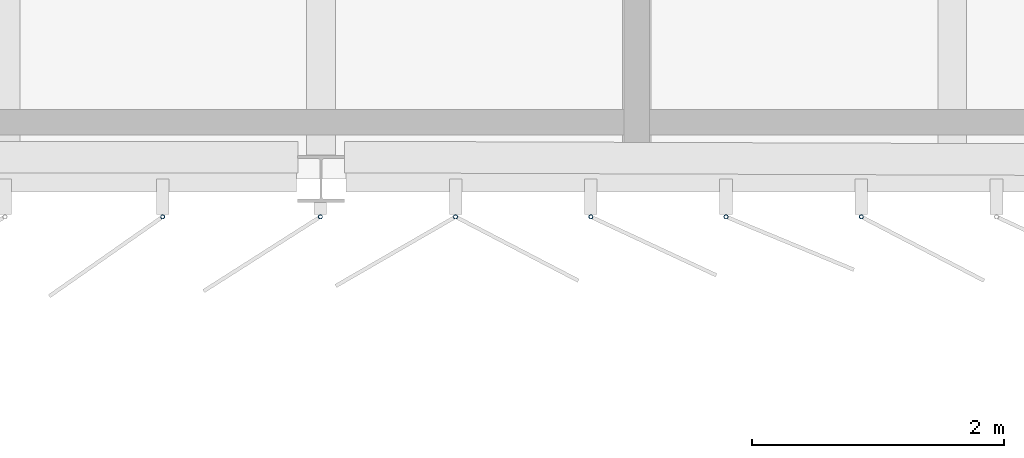
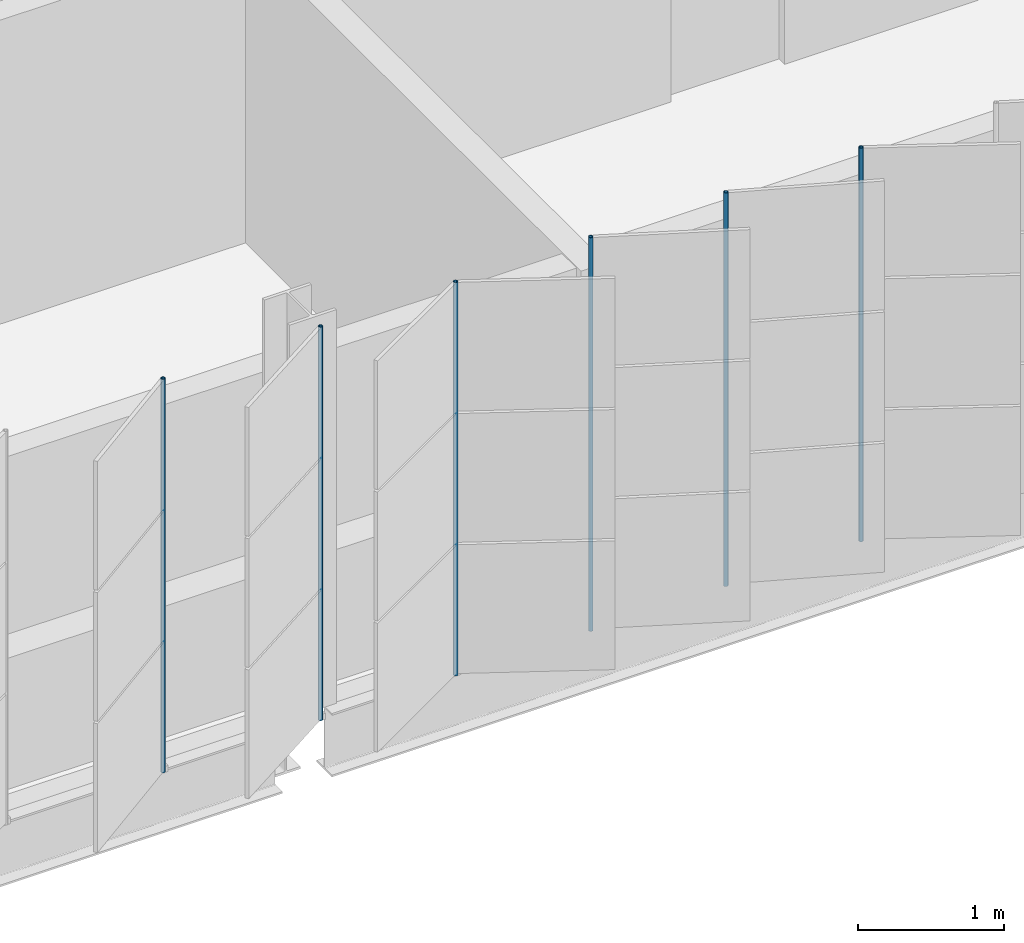
# One storey, part 120 of 214: 6 discrete accessories.
"""IFC4 building model written with IfcOpenShell, lengths in metres."""

from ifc_helpers import new_model, si_unit, direction, frame, origin, origin_2d, place, context, subcontext, project, spatial, hollow_circle, extrude, material, material_profile, profile_set, type_object, element, save


model = new_model("IFC4")

# Units and contexts
model_context = context("Model", 3, precision=1e-05, world=origin(), true_north=direction((0.0, 1.0)))
body_context = subcontext(model_context, "Body", "Model", "MODEL_VIEW")
ifc_project = project(units=[si_unit("LENGTHUNIT", "METRE"), si_unit("AREAUNIT", "SQUARE_METRE"), si_unit("VOLUMEUNIT", "CUBIC_METRE"), si_unit("PLANEANGLEUNIT", "RADIAN"), si_unit("MASSUNIT", "GRAM", prefix="KILO")], contexts=[model_context])

# Site, building, storey
site_placement = place(None, origin())
site = spatial("IfcSite", under=ifc_project, at=site_placement, CompositionType="ELEMENT")
building_placement = place(site_placement, origin())
building = spatial("IfcBuilding", under=site, at=building_placement, Name="Parallax Yard Mobility Hub", CompositionType="ELEMENT")
storey_placement = place(building_placement, frame((0.0, 0.0, 3.300048828125)))
storey = spatial("IfcBuildingStorey", under=building, at=storey_placement, Name="L01", CompositionType="ELEMENT", Elevation=3.300048828125)

# Discrete accessories
ifc_material = material(Name="Steel ASTM A500 Gr C, hot-dip galvanised", Category="steel")
ifc_material_profile = material_profile(ifc_material, hollow_circle(Radius=0.016845703125, WallThickness=0.003173828125, at=origin_2d()), Name="CHS 33.7x3.2")
ifc_profile_set = profile_set([ifc_material_profile], Name="Steel ASTM A500 Gr C, hot-dip galvanised")
discrete_accessory_type = type_object("IfcDiscreteAccessoryType", Name="Hinge post CHS 33.7x3.2", PredefinedType="BRACKET", material=ifc_profile_set)
for number, where, z_axis, x_axis, name in (
    (1, (148.744384765625, 112.199951171875, 0.0), (0.0, 0.0, 1.0), (1.0, 0.0, 0.0), "Hinge post bay 14.6 level L01"),
    (2, (149.993408203125, 112.199951171875, 0.0), (0.0, 0.0, 1.0), (1.0, 0.0, 0.0), "Hinge post bay 15.1 level L01"),
    (3, (151.06494140625, 112.199951171875, 0.0), (0.0, 0.0, 1.0), (1.0, 0.0, 0.0), "Hinge post bay 15.2 level L01"),
    (4, (152.136474609375, 112.199951171875, 0.0), (0.0, 0.0, 1.0), (1.0, 0.0, 0.0), "Hinge post bay 15.3 level L01"),
    (5, (153.2080078125, 112.199951171875, 0.0), (0.0, 0.0, 1.0), (1.0, 0.0, 0.0), "Hinge post bay 15.4 level L01"),
    (6, (154.279541015625, 112.199951171875, 0.0), (0.0, 0.0, 1.0), (1.0, 0.0, 0.0), "Hinge post bay 15.5 level L01"),
):
    element("IfcDiscreteAccessory", number, at=place(storey_placement, frame(where, z_axis=z_axis, x_axis=x_axis)), inside=storey, type_object=discrete_accessory_type, Name=name, PredefinedType="BRACKET", context=body_context, shape_type="SweptSolid", body=[
        extrude(hollow_circle(Radius=0.016845703125, WallThickness=0.003173828125, at=origin_2d()), origin(), (0.0, 0.0, 1.0), 3.300048828125),
    ])

save(model, "model.ifc")
